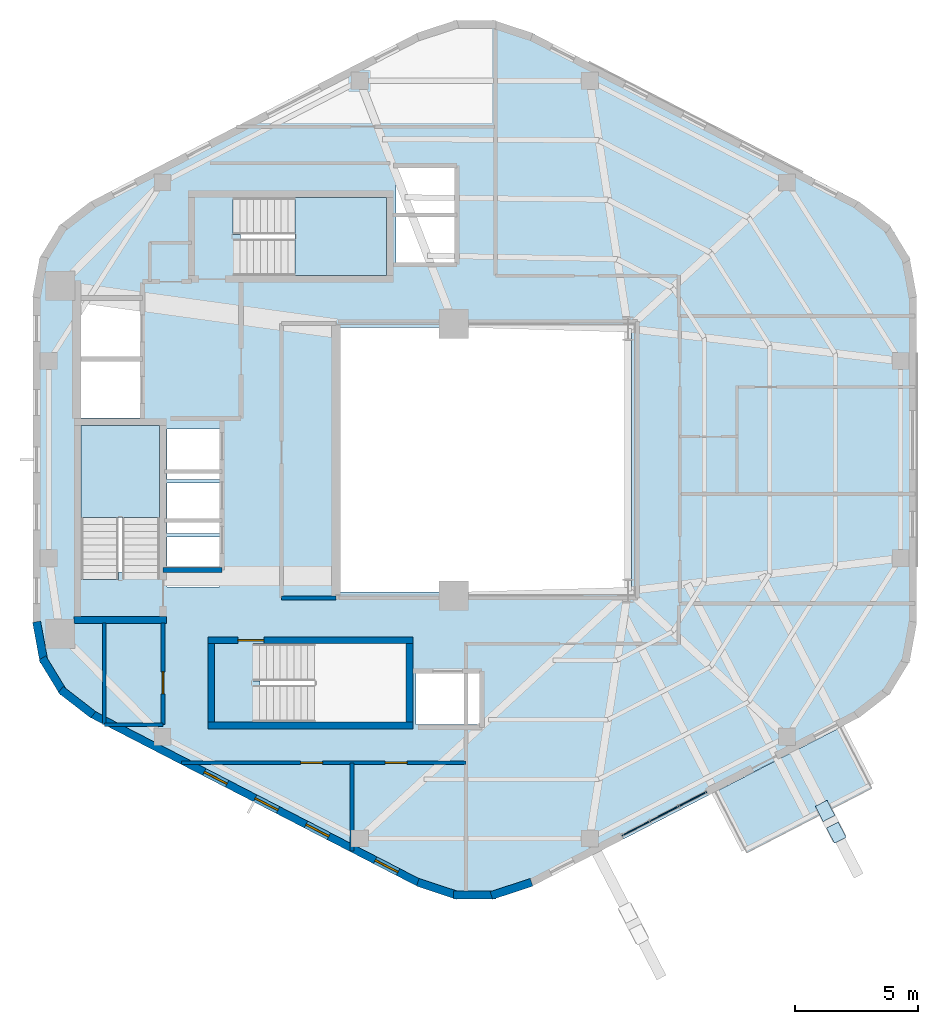
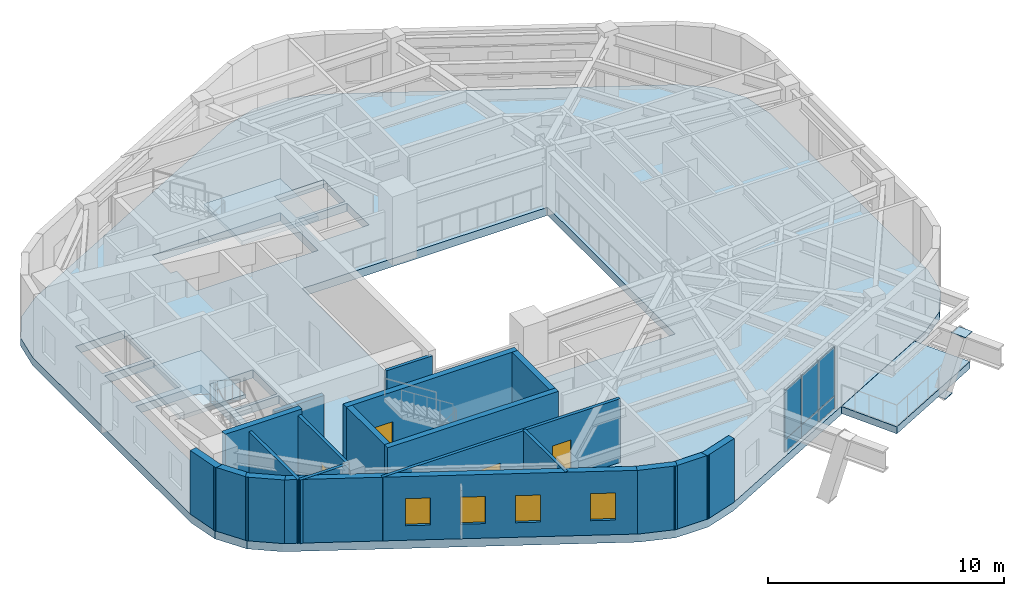
# One storey, part 4 of 9: 19 walls, 8 plates, 4 doors, 4 slabs, 4 windows, 8 openings, 3 elements without a shape of their own.
"""IFC4 building model written with IfcOpenShell, lengths in metres."""

from ifc_helpers import new_model, si_unit, direction, frame, frame_2d, origin, origin_2d, place, context, subcontext, project, spatial, polyline, rectangle, outline, extrude, material, layer, layer_set, type_object, element, fill, aggregate, save


model = new_model("IFC4")

# Units and contexts
model_context = context("Model", 3, precision=1e-05, world=origin(), true_north=direction((0.0, 1.0)))
body_context = subcontext(model_context, "Body", "Model", "MODEL_VIEW")
ifc_project = project(units=[si_unit("LENGTHUNIT", "METRE"), si_unit("AREAUNIT", "SQUARE_METRE"), si_unit("VOLUMEUNIT", "CUBIC_METRE"), si_unit("PLANEANGLEUNIT", "RADIAN"), si_unit("MASSUNIT", "GRAM", prefix="KILO"), si_unit("THERMODYNAMICTEMPERATUREUNIT", "KELVIN"), si_unit("POWERUNIT", "WATT")], contexts=[model_context])

# Site, building, storey
site_placement = place(None, origin())
site = spatial("IfcSite", under=ifc_project, at=site_placement, CompositionType="ELEMENT")
building_placement = place(site_placement, origin())
building = spatial("IfcBuilding", under=site, at=building_placement, Name="Skarre Station Tower", CompositionType="ELEMENT")
storey_placement = place(building_placement, frame((0.0, 0.0, 220.60009765625)))
storey = spatial("IfcBuildingStorey", under=building, at=storey_placement, Name="L60", CompositionType="ELEMENT", Elevation=220.60009765625)

# Curtain wall, plates
ifc_material_1 = material(Name="Thermally Broken Bronze-Anodized Aluminium & Triple Low-E Glass", Category="aluminium")
ifc_layer_1 = layer(ifc_material_1, 0.18994140625, Name="Thermally Broken Bronze-Anodized Aluminium & Triple Low-E Glass")
ifc_layer_set_1 = layer_set([ifc_layer_1], Name="Thermally Broken Bronze-Anodized Aluminium & Triple Low-E Glass")
curtain_wall_type = type_object("IfcCurtainWallType", Name="Sky-Garden Setback Conservatory Curtain Wall", PredefinedType="NOTDEFINED", material=ifc_layer_set_1)
curtain_wall_placement = place(storey_placement, origin())
curtain_wall = element("IfcCurtainWall", 1, at=curtain_wall_placement, inside=storey, type_object=curtain_wall_type, Name="L60 Facet 4 Conservatory Curtain Wall", PredefinedType="NOTDEFINED")
ifc_material_2 = material(Name="Insulated Bronze Anodized Aluminium Spandrel", Category="aluminium")
ifc_layer_2 = layer(ifc_material_2, 0.052001953125, Name="Insulated Bronze Anodized Aluminium Spandrel")
ifc_layer_set_2 = layer_set([ifc_layer_2], Name="Insulated Bronze Anodized Aluminium Spandrel")
plate_type_1 = type_object("IfcPlateType", Name="Bronze Insulated Spandrel Sheet Panel 52", PredefinedType="SHEET", material=ifc_layer_set_2)
plate_1_placement = place(storey_placement, frame((42.090087890625, 10.1650390625, 0.0517578125), z_axis=(0.0, 0.0, 1.0), x_axis=(-0.88848110948, -0.458913192332, 0.0)))
plate_1 = element("IfcPlate", 2, at=plate_1_placement, type_object=plate_type_1, Name="L60 Facet 4 Conservatory Curtain Wall Spandrel Panel 1-1", PredefinedType="SHEET", context=body_context, shape_type="SweptSolid", body=[
    extrude(rectangle(XDim=1.282958984375, YDim=0.052001953125, at=origin_2d()), origin(), (0.0, 0.0, 1.0), 0.635986328125),
])
plate_2_placement = place(storey_placement, frame((40.929931640625, 9.56591796875, 0.0517578125), z_axis=(0.0, 0.0, 1.0), x_axis=(-0.88848110948, -0.458913192332, 0.0)))
plate_2 = element("IfcPlate", 3, at=plate_2_placement, type_object=plate_type_1, Name="L60 Facet 4 Conservatory Curtain Wall Spandrel Panel 2-1", PredefinedType="SHEET", context=body_context, shape_type="SweptSolid", body=[
    extrude(rectangle(XDim=1.282958984375, YDim=0.052001953125, at=origin_2d()), origin(), (0.0, 0.0, 1.0), 0.635986328125),
])
plate_3_placement = place(storey_placement, frame((39.76904296875, 8.966064453125, 0.0517578125), z_axis=(0.0, 0.0, 1.0), x_axis=(-0.88848110948, -0.458913192332, 0.0)))
plate_3 = element("IfcPlate", 4, at=plate_3_placement, type_object=plate_type_1, Name="L60 Facet 4 Conservatory Curtain Wall Spandrel Panel 3-1", PredefinedType="SHEET", context=body_context, shape_type="SweptSolid", body=[
    extrude(rectangle(XDim=1.282958984375, YDim=0.052001953125, at=origin_2d()), origin(), (0.0, 0.0, 1.0), 0.635986328125),
])

# Plates
ifc_material_3 = material(Name="Steel ASTM A572 Grade 50", Category="steel")
ifc_layer_3 = layer(ifc_material_3, 0.031982421875, Name="Steel ASTM A572 Grade 50")
ifc_layer_set_3 = layer_set([ifc_layer_3], Name="Steel ASTM A572 Grade 50")
plate_type_2 = type_object("IfcPlateType", Name="Exoskeleton Strut Cap Plate 700x540x32", PredefinedType="USERDEFINED", material=ifc_layer_set_3)
for number, where, z_axis, x_axis, name in (
    (5, (47.487060546875, 9.680908203125, -0.4462890625), (0.0, 0.0, 1.0), (0.458711590553, -0.88858521071, 0.0), "L60 SB-5 Exoskeleton Tier-1 Base Gusset S2"),
    (6, (47.945068359375, 8.7919921875, 3.10400390625), (0.0, 0.0, 1.0), (0.458711590553, -0.88858521071, 0.0), "L60 SB-5 Exoskeleton Tier-1 Head Gusset S2"),
):
    element("IfcPlate", number, at=place(storey_placement, frame(where, z_axis=z_axis, x_axis=x_axis)), inside=storey, type_object=plate_type_2, Name=name, ObjectType="STIFFENER_PLATE", PredefinedType="USERDEFINED", context=body_context, shape_type="SweptSolid", body=[
        extrude(rectangle(XDim=0.699951171875, YDim=0.5400390625, at=origin_2d()), origin(), (0.0, 0.0, 1.0), 0.031982421875),
    ])

# Stair, slab
ifc_material_4 = material(Name="Concrete C40/50", Category="concrete")
stair_type_1 = type_object("IfcStairType", Name="Reinforced Concrete Exit Stair ST-1", PredefinedType="HALF_TURN_STAIR", material=ifc_material_4)
stair_1_placement = place(storey_placement, origin())
stair_1 = element("IfcStair", 7, at=stair_1_placement, inside=storey, type_object=stair_type_1, Name="L60 Core Exit Stair ST-1", PredefinedType="HALF_TURN_STAIR")
ifc_layer_4 = layer(ifc_material_4, 0.219970703125, Name="Concrete C40/50")
ifc_layer_set_4 = layer_set([ifc_layer_4], Name="Concrete C40/50")
slab_type_1 = type_object("IfcSlabType", Name="Reinforced Concrete Stair & Ramp Landing 220", PredefinedType="LANDING", material=ifc_layer_set_4)
slab_1_placement = place(storey_placement, frame((0.0, 0.0, 1.574951171875)))
slab_1 = element("IfcSlab", 8, at=slab_1_placement, type_object=slab_type_1, Name="ST-1 landing 1", PredefinedType="LANDING", context=body_context, shape_type="SweptSolid", body=[
    extrude(outline(polyline([(20.35009765625, 21.639892578125), (20.35009765625, 25.39990234375), (17.14990234375, 25.39990234375), (17.14990234375, 21.639892578125), (20.35009765625, 21.639892578125)])), origin(), (0.0, 0.0, 1.0), 0.199951171875),
])
aggregate(stair_1, [slab_1])

stair_type_2 = type_object("IfcStairType", Name="Reinforced Concrete Exit Stair ST-3", PredefinedType="HALF_TURN_STAIR", material=ifc_material_4)
stair_2_placement = place(storey_placement, origin())
stair_2 = element("IfcStair", 9, at=stair_2_placement, inside=storey, type_object=stair_type_2, Name="L60 Core Exit Stair ST-3", PredefinedType="HALF_TURN_STAIR")
slab_2_placement = place(storey_placement, frame((0.0, 0.0, 1.574951171875)))
slab_2 = element("IfcSlab", 10, at=slab_2_placement, type_object=slab_type_1, Name="ST-3 landing 1", PredefinedType="LANDING", context=body_context, shape_type="SweptSolid", body=[
    extrude(outline(polyline([(25.8701171875, 31.5), (29.60009765625, 31.5), (29.60009765625, 34.699951171875), (25.8701171875, 34.699951171875), (25.8701171875, 31.5)])), origin(), (0.0, 0.0, 1.0), 0.199951171875),
])
aggregate(stair_2, [slab_2])

# Slabs
ifc_material_5 = material(Name="Concrete C50/60", Category="concrete")
ifc_layer_5 = layer(ifc_material_5, 0.419921875, Name="Concrete C50/60")
ifc_layer_set_5 = layer_set([ifc_layer_5], Name="Concrete C50/60")
slab_type_2 = type_object("IfcSlabType", Name="Sky-Garden & Lookout Terrace Slab 360", PredefinedType="FLOOR", material=ifc_layer_set_5)
slab_3_placement = place(storey_placement, frame((0.0, 0.0, -0.360107421875)))
element("IfcSlab", 11, at=slab_3_placement, inside=storey, type_object=slab_type_2, Name="L60 SG-3 Planted Sky-Garden Terrace Slab", PredefinedType="FLOOR", context=body_context, shape_type="SweptSolid", body=[
    extrude(outline(polyline([(48.10595703125, 13.083984375), (43.014892578125, 10.4560546875), (44.294921875, 7.97705078125), (49.385986328125, 10.60498046875), (48.10595703125, 13.083984375)])), origin(), (0.0, 0.0, 1.0), 0.360107421875),
])
ifc_layer_6 = layer(ifc_material_5, 0.419921875, Name="Concrete C50/60")
ifc_layer_set_6 = layer_set([ifc_layer_6], Name="Concrete C50/60")
slab_type_3 = type_object("IfcSlabType", Name="Transfer & Concourse Floor Slab 360", PredefinedType="FLOOR", material=ifc_layer_set_6)
slab_4_placement = place(storey_placement, frame((0.0, 0.0, -0.420166015625)))
element("IfcSlab", 12, at=slab_4_placement, inside=storey, type_object=slab_type_3, Name="L60 Zone 4 Structural Floor Slab", PredefinedType="FLOOR", context=body_context, shape_type="SweptSolid", body=[
    extrude(outline(polyline([(51.212890625, 30.701904296875), (50.93310546875, 32.222900390625), (50.1279296875, 33.544921875), (48.905029296875, 34.491943359375), (35.508056640625, 41.407958984375), (33.99609375, 41.906005859375), (32.404052734375, 41.906005859375), (30.89208984375, 41.407958984375), (17.4951171875, 34.491943359375), (16.27197265625, 33.544921875), (15.467041015625, 32.222900390625), (15.18701171875, 30.701904296875), (15.18701171875, 17.298095703125), (15.467041015625, 15.777099609375), (16.27197265625, 14.455078125), (17.4951171875, 13.508056640625), (30.89208984375, 6.592041015625), (32.404052734375, 6.093994140625), (33.99609375, 6.093994140625), (35.508056640625, 6.592041015625), (48.905029296875, 13.508056640625), (50.1279296875, 14.455078125), (50.93310546875, 15.777099609375), (51.212890625, 17.298095703125), (51.212890625, 30.701904296875)]), holes=[polyline([(18.669921875, 19.419921875), (18.669921875, 19.123046875), (17.14990234375, 19.123046875), (17.14990234375, 25.39990234375), (20.35009765625, 25.39990234375), (20.35009765625, 19.419921875), (18.669921875, 19.419921875)]), polyline([(24.449951171875, 14.97998046875), (24.153076171875, 14.97998046875), (24.153076171875, 16.5), (30.39990234375, 16.5), (30.39990234375, 13.300048828125), (24.449951171875, 13.300048828125), (24.449951171875, 14.97998046875)]), polyline([(23.64990234375, 33.179931640625), (23.35302734375, 33.179931640625), (23.35302734375, 34.699951171875), (29.60009765625, 34.699951171875), (29.60009765625, 31.5), (23.64990234375, 31.5), (23.64990234375, 33.179931640625)]), polyline([(17.14990234375, 28.0), (19.550048828125, 28.0), (19.550048828125, 25.699951171875), (17.14990234375, 25.699951171875), (17.14990234375, 28.0)]), polyline([(17.14990234375, 30.5), (19.550048828125, 30.5), (19.550048828125, 28.199951171875), (17.14990234375, 28.199951171875), (17.14990234375, 30.5)]), polyline([(30.800048828125, 15.300048828125), (33.39990234375, 15.300048828125), (33.39990234375, 13.199951171875), (30.800048828125, 13.199951171875), (30.800048828125, 15.300048828125)]), polyline([(20.64990234375, 20.85009765625), (22.800048828125, 20.85009765625), (22.800048828125, 18.800048828125), (20.64990234375, 18.800048828125), (20.64990234375, 20.85009765625)]), polyline([(20.64990234375, 23.050048828125), (22.800048828125, 23.050048828125), (22.800048828125, 21.0), (20.64990234375, 21.0), (20.64990234375, 23.050048828125)]), polyline([(20.64990234375, 25.25), (22.800048828125, 25.25), (22.800048828125, 23.199951171875), (20.64990234375, 23.199951171875), (20.64990234375, 25.25)]), polyline([(30.0, 33.89990234375), (32.39990234375, 33.89990234375), (32.39990234375, 32.050048828125), (30.0, 32.050048828125), (30.0, 33.89990234375)]), polyline([(30.0, 35.89990234375), (32.39990234375, 35.89990234375), (32.39990234375, 34.050048828125), (30.0, 34.050048828125), (30.0, 35.89990234375)]), polyline([(27.60009765625, 29.39990234375), (39.60009765625, 29.39990234375), (39.60009765625, 18.60009765625), (27.60009765625, 18.60009765625), (27.60009765625, 29.39990234375)])]), origin(), (0.0, 0.0, 1.0), 0.420166015625),
])

# Plate
ifc_material_6 = material(Name="Low-Iron Triple Insulating Glass Unit", Category="glass")
ifc_layer_7 = layer(ifc_material_6, 0.0439453125, Name="Low-Iron Triple Insulating Glass Unit")
ifc_layer_set_7 = layer_set([ifc_layer_7], Name="Low-Iron Triple Insulating Glass Unit")
plate_type_3 = type_object("IfcPlateType", Name="Triple-Glazed Vision Curtain Panel 44", PredefinedType="CURTAIN_PANEL", material=ifc_layer_set_7)
plate_4_placement = place(storey_placement, frame((42.090087890625, 10.1650390625, 0.7119140625), z_axis=(0.0, 0.0, 1.0), x_axis=(-0.88848110948, -0.458913192332, 0.0)))
plate_4 = element("IfcPlate", 13, at=plate_4_placement, type_object=plate_type_3, Name="L60 Facet 4 Conservatory Curtain Wall Vision Panel 1-2", PredefinedType="CURTAIN_PANEL", context=body_context, shape_type="SweptSolid", body=[
    extrude(rectangle(XDim=1.282958984375, YDim=0.0439453125, at=origin_2d()), origin(), (0.0, 0.0, 1.0), 2.52587890625),
])

plate_5_placement = place(storey_placement, frame((40.929931640625, 9.56591796875, 0.7119140625), z_axis=(0.0, 0.0, 1.0), x_axis=(-0.88848110948, -0.458913192332, 0.0)))
plate_5 = element("IfcPlate", 14, at=plate_5_placement, type_object=plate_type_3, Name="L60 Facet 4 Conservatory Curtain Wall Vision Panel 2-2", PredefinedType="CURTAIN_PANEL", context=body_context, shape_type="SweptSolid", body=[
    extrude(rectangle(XDim=1.282958984375, YDim=0.0439453125, at=origin_2d()), origin(), (0.0, 0.0, 1.0), 2.52587890625),
])

plate_6_placement = place(storey_placement, frame((39.76904296875, 8.966064453125, 0.7119140625), z_axis=(0.0, 0.0, 1.0), x_axis=(-0.88848110948, -0.458913192332, 0.0)))
plate_6 = element("IfcPlate", 15, at=plate_6_placement, type_object=plate_type_3, Name="L60 Facet 4 Conservatory Curtain Wall Vision Panel 3-2", PredefinedType="CURTAIN_PANEL", context=body_context, shape_type="SweptSolid", body=[
    extrude(rectangle(XDim=1.282958984375, YDim=0.0439453125, at=origin_2d()), origin(), (0.0, 0.0, 1.0), 2.52587890625),
])

aggregate(curtain_wall, [plate_1, plate_4, plate_2, plate_5, plate_3, plate_6])

# Walls
ifc_material_7 = material(Name="Acoustic Steel-Stud Gypsum Partition", Category="steel")
ifc_layer_8 = layer(ifc_material_7, 0.14990234375, Name="Acoustic Steel-Stud Gypsum Partition")
ifc_layer_set_8 = layer_set([ifc_layer_8], Name="Acoustic Steel-Stud Gypsum Partition")
wall_type_1 = type_object("IfcWallType", Name="Fire-Rated Corridor Acoustic Partition 150", PredefinedType="PARTITIONING", material=ifc_layer_set_8)
wall_1_placement = place(storey_placement, frame((25.320068359375, 18.360107421875, 0.0), z_axis=(0.0, 0.0, 1.0), x_axis=(1.0, 0.0, 0.0)))
element("IfcWall", 16, at=wall_1_placement, inside=storey, type_object=wall_type_1, Name="L60 Interior Partition WL-PT-L60-RC2-S", PredefinedType="PARTITIONING", context=body_context, shape_type="SweptSolid", body=[
    extrude(rectangle(XDim=2.22998046875, YDim=0.14990234375, at=frame_2d((1.114990234375, 0.0))), origin(), (0.0, 0.0, 1.0), 3.289794921875),
])
wall_2_placement = place(storey_placement, frame((18.10009765625, 17.340087890625, 0.0), z_axis=(0.0, 0.0, 1.0), x_axis=(0.0, -1.0, 0.0)))
element("IfcWall", 17, at=wall_2_placement, inside=storey, type_object=wall_type_1, Name="L60 Interior Partition WL-PT-L60-CSVC-W", PredefinedType="PARTITIONING", context=body_context, shape_type="SweptSolid", body=[
    extrude(rectangle(XDim=4.133056640625, YDim=0.14990234375, at=frame_2d((2.06640625, 0.0))), origin(), (0.0, 0.0, 1.0), 3.289794921875),
])
wall_3_placement = place(storey_placement, frame((18.113037109375, 13.199951171875, 0.0), z_axis=(0.0, 0.0, 1.0), x_axis=(1.0, 0.0, 0.0)))
element("IfcWall", 18, at=wall_3_placement, inside=storey, type_object=wall_type_1, Name="L60 Interior Partition WL-PT-L60-CSVC-S", PredefinedType="PARTITIONING", context=body_context, shape_type="SweptSolid", body=[
    extrude(rectangle(XDim=2.376953125, YDim=0.14990234375, at=frame_2d((1.1884765625, 0.0))), origin(), (0.0, 0.0, 1.0), 3.289794921875),
])

# Wall, opening, door
wall_4_placement = place(storey_placement, frame((20.489990234375, 13.199951171875, 0.0), z_axis=(0.0, 0.0, 1.0), x_axis=(0.0, 1.0, 0.0)))
wall_4 = element("IfcWall", 19, at=wall_4_placement, inside=storey, type_object=wall_type_1, Name="L60 Interior Partition WL-PT-L60-CSVC-E", PredefinedType="PARTITIONING", context=body_context, shape_type="SweptSolid", body=[
    extrude(rectangle(XDim=4.14013671875, YDim=0.14990234375, at=frame_2d((2.070068359375, 0.0))), origin(), (0.0, 0.0, 1.0), 3.289794921875),
])
opening_1_placement = place(wall_4_placement, frame((1.25, 0.0, 0.0)))
opening_1 = element("IfcOpeningElement", 20, at=opening_1_placement, cuts=wall_4, Name="Opening DR-SVC90", PredefinedType="OPENING", context=body_context, shape_type="SweptSolid", body=[
    extrude(rectangle(XDim=0.89990234375, YDim=2.0, at=frame_2d((0.449951171875, 1.0))), frame((0.0, 0.0849609375, 0.0), z_axis=(0.0, -1.0, 0.0), x_axis=(1.0, 0.0, 0.0)), (0.0, 0.0, 1.0), 0.169921875),
])
ifc_material_8 = material(Name="Powder-Coated Hollow-Metal Acoustic Fire Leaf", Category="steel")
door_type_1 = type_object("IfcDoorType", Name="Service & Riser Fire Door FD60 900x2100", OperationType="SINGLE_SWING_LEFT", PredefinedType="DOOR", material=ifc_material_8)
door_1_placement = place(opening_1_placement, origin())
door_1 = element("IfcDoor", 21, at=door_1_placement, inside=storey, type_object=door_type_1, Name="L60 Core Pantry Door", OperationType="SINGLE_SWING_LEFT", OverallHeight=2.0, OverallWidth=0.89990234375, PredefinedType="DOOR", context=body_context, shape_type="SweptSolid", body=[
    extrude(rectangle(XDim=0.89990234375, YDim=2.0, at=frame_2d((0.449951171875, 1.0))), frame((0.0, 0.02490234375, 0.0), z_axis=(0.0, -1.0, 0.0), x_axis=(1.0, 0.0, 0.0)), (0.0, 0.0, 1.0), 0.050048828125),
])
fill(opening_1, door_1)

# Wall
wall_5_placement = place(storey_placement, frame((28.199951171875, 8.049072265625, 0.0), z_axis=(0.0, 0.0, 1.0), x_axis=(0.0, 1.0, 0.0)))
element("IfcWall", 22, at=wall_5_placement, inside=storey, type_object=wall_type_1, Name="L60 Interior Partition WL-PT-L60-SWP-M", PredefinedType="PARTITIONING", context=body_context, shape_type="SweptSolid", body=[
    extrude(rectangle(XDim=3.5908203125, YDim=0.14990234375, at=frame_2d((1.79541015625, 0.0))), origin(), (0.0, 0.0, 1.0), 3.289794921875),
])

# Wall, openings, doors
wall_6_placement = place(storey_placement, frame((21.243896484375, 11.639892578125, 0.0), z_axis=(0.0, 0.0, 1.0), x_axis=(1.0, 0.0, 0.0)))
wall_6 = element("IfcWall", 23, at=wall_6_placement, inside=storey, type_object=wall_type_1, Name="L60 Interior Partition WL-PT-L60-SWP-N", PredefinedType="PARTITIONING", context=body_context, shape_type="SweptSolid", body=[
    extrude(rectangle(XDim=11.606201171875, YDim=0.14990234375, at=frame_2d((5.80322265625, 0.0))), origin(), (0.0, 0.0, 1.0), 3.289794921875),
])
opening_2_placement = place(wall_6_placement, frame((4.85595703125, 0.0, 0.0)))
opening_2 = element("IfcOpeningElement", 24, at=opening_2_placement, cuts=wall_6, Name="Opening DR-SVC90", PredefinedType="OPENING", context=body_context, shape_type="SweptSolid", body=[
    extrude(rectangle(XDim=0.89990234375, YDim=2.0, at=frame_2d((0.449951171875, 1.0))), frame((0.0, 0.0849609375, 0.0), z_axis=(0.0, -1.0, 0.0), x_axis=(1.0, 0.0, 0.0)), (0.0, 0.0, 1.0), 0.169921875),
])
opening_3_placement = place(wall_6_placement, frame((8.305908203125, 0.0, 0.0)))
opening_3 = element("IfcOpeningElement", 25, at=opening_3_placement, cuts=wall_6, Name="Opening DR-SVC90", PredefinedType="OPENING", context=body_context, shape_type="SweptSolid", body=[
    extrude(rectangle(XDim=0.89990234375, YDim=2.0, at=frame_2d((0.449951171875, 1.0))), frame((0.0, 0.0849609375, 0.0), z_axis=(0.0, -1.0, 0.0), x_axis=(1.0, 0.0, 0.0)), (0.0, 0.0, 1.0), 0.169921875),
])
door_2_placement = place(opening_2_placement, origin())
door_2 = element("IfcDoor", 26, at=door_2_placement, inside=storey, type_object=door_type_1, Name="L60 Floor Public Toilets Door", OperationType="SINGLE_SWING_LEFT", OverallHeight=2.0, OverallWidth=0.89990234375, PredefinedType="DOOR", context=body_context, shape_type="SweptSolid", body=[
    extrude(rectangle(XDim=0.89990234375, YDim=2.0, at=frame_2d((0.449951171875, 1.0))), frame((0.0, 0.02490234375, 0.0), z_axis=(0.0, -1.0, 0.0), x_axis=(1.0, 0.0, 0.0)), (0.0, 0.0, 1.0), 0.050048828125),
])
fill(opening_2, door_2)
door_3_placement = place(opening_3_placement, origin())
door_3 = element("IfcDoor", 27, at=door_3_placement, inside=storey, type_object=door_type_1, Name="L60 South-West Study Door", OperationType="SINGLE_SWING_LEFT", OverallHeight=2.0, OverallWidth=0.89990234375, PredefinedType="DOOR", context=body_context, shape_type="SweptSolid", body=[
    extrude(rectangle(XDim=0.89990234375, YDim=2.0, at=frame_2d((0.449951171875, 1.0))), frame((0.0, 0.02490234375, 0.0), z_axis=(0.0, -1.0, 0.0), x_axis=(1.0, 0.0, 0.0)), (0.0, 0.0, 1.0), 0.050048828125),
])
fill(opening_3, door_3)

# Walls
ifc_material_9 = material(Name="Precast concrete C45/55", Category="concrete")
ifc_layer_9 = layer(ifc_material_9, 0.330078125, Name="Precast concrete C45/55")
ifc_layer_set_9 = layer_set([ifc_layer_9], Name="Precast concrete C45/55")
wall_type_2 = type_object("IfcWallType", Name="Nordic Rounded Corner Precast Wall 330", PredefinedType="STANDARD", material=ifc_layer_set_9)
wall_7_placement = place(storey_placement, frame((17.64697265625, 13.59912109375, 0.0), z_axis=(0.0, 0.0, 1.0), x_axis=(-0.790691856293, 0.61221433207, 0.0)))
element("IfcWall", 28, at=wall_7_placement, inside=storey, type_object=wall_type_2, Name="L60 Rounded Corner Precast Wall F3-1", PredefinedType="STANDARD", context=body_context, shape_type="SweptSolid", body=[
    extrude(rectangle(XDim=1.67578125, YDim=0.330078125, at=frame_2d((0.837890625, 0.0))), origin(), (0.0, 0.0, 1.0), 3.289794921875),
])
wall_8_placement = place(storey_placement, frame((16.447021484375, 14.485107421875, 0.0), z_axis=(0.0, 0.0, 1.0), x_axis=(-0.520325409202, 0.853968072318, 0.0)))
element("IfcWall", 29, at=wall_8_placement, inside=storey, type_object=wall_type_2, Name="L60 Rounded Corner Precast Wall F3-2", PredefinedType="STANDARD", context=body_context, shape_type="SweptSolid", body=[
    extrude(rectangle(XDim=1.677978515625, YDim=0.330078125, at=frame_2d((0.8388671875, 0.0))), origin(), (0.0, 0.0, 1.0), 3.289794921875),
])
wall_9_placement = place(storey_placement, frame((15.64111328125, 15.742919921875, 0.0), z_axis=(0.0, 0.0, 1.0), x_axis=(-0.180832605401, 0.983513888475, 0.0)))
element("IfcWall", 30, at=wall_9_placement, inside=storey, type_object=wall_type_2, Name="L60 Rounded Corner Precast Wall F3-3", PredefinedType="STANDARD", context=body_context, shape_type="SweptSolid", body=[
    extrude(rectangle(XDim=1.6767578125, YDim=0.330078125, at=frame_2d((0.83837890625, 0.0))), origin(), (0.0, 0.0, 1.0), 3.289794921875),
])
wall_10_placement = place(storey_placement, frame((35.51806640625, 6.76904296875, 0.0), z_axis=(0.0, 0.0, 1.0), x_axis=(-0.949713440491, -0.313120393699, 0.0)))
element("IfcWall", 31, at=wall_10_placement, inside=storey, type_object=wall_type_2, Name="L60 Rounded Corner Precast Wall F4-1", PredefinedType="STANDARD", context=body_context, shape_type="SweptSolid", body=[
    extrude(rectangle(XDim=1.7216796875, YDim=0.330078125, at=frame_2d((0.86083984375, 0.0))), origin(), (0.0, 0.0, 1.0), 3.289794921875),
])
wall_11_placement = place(storey_placement, frame((34.06103515625, 6.259033203125, 0.0), z_axis=(0.0, 0.0, 1.0), x_axis=(-1.0, 0.0, 0.0)))
element("IfcWall", 32, at=wall_11_placement, inside=storey, type_object=wall_type_2, Name="L60 Rounded Corner Precast Wall F4-2", PredefinedType="STANDARD", context=body_context, shape_type="SweptSolid", body=[
    extrude(rectangle(XDim=1.721923828125, YDim=0.330078125, at=frame_2d((0.86083984375, 0.0))), origin(), (0.0, 0.0, 1.0), 3.289794921875),
])
wall_12_placement = place(storey_placement, frame((32.51708984375, 6.22998046875, 0.0), z_axis=(0.0, 0.0, 1.0), x_axis=(-0.949713440491, 0.313120393699, 0.0)))
element("IfcWall", 33, at=wall_12_placement, inside=storey, type_object=wall_type_2, Name="L60 Rounded Corner Precast Wall F4-3", PredefinedType="STANDARD", context=body_context, shape_type="SweptSolid", body=[
    extrude(rectangle(XDim=1.7216796875, YDim=0.330078125, at=frame_2d((0.86083984375, 0.0))), origin(), (0.0, 0.0, 1.0), 3.289794921875),
])

# Wall, openings, windows
ifc_layer_10 = layer(ifc_material_9, 0.31005859375, Name="Precast concrete C45/55")
ifc_layer_set_10 = layer_set([ifc_layer_10], Name="Precast concrete C45/55")
wall_type_3 = type_object("IfcWallType", Name="Nordic Upper-Zone Precast Facet Wall 310", PredefinedType="STANDARD", material=ifc_layer_set_10)
wall_13_placement = place(storey_placement, frame((30.962890625, 6.72998046875, 0.0), z_axis=(0.0, 0.0, 1.0), x_axis=(-0.888581481622, 0.458718814218, 0.0)))
wall_13 = element("IfcWall", 34, at=wall_13_placement, inside=storey, type_object=wall_type_3, Name="L60 Facet 3 Nordic Precast Masonry Wall", PredefinedType="STANDARD", context=body_context, shape_type="SweptSolid", body=[
    extrude(rectangle(XDim=15.076904296875, YDim=0.31005859375, at=frame_2d((7.53857421875, 0.0))), origin(), (0.0, 0.0, 1.0), 3.289794921875),
])
opening_4_placement = place(wall_13_placement, frame((0.998046875, 0.0, 0.75)))
opening_4 = element("IfcOpeningElement", 35, at=opening_4_placement, cuts=wall_13, Name="Opening WN-SLT", PredefinedType="OPENING", context=body_context, shape_type="SweptSolid", body=[
    extrude(rectangle(XDim=1.050048828125, YDim=1.39990234375, at=frame_2d((0.52490234375, 0.699951171875))), frame((0.0, 0.1650390625, 0.0), z_axis=(0.0, -1.0, 0.0), x_axis=(1.0, 0.0, 0.0)), (0.0, 0.0, 1.0), 0.330078125),
])
opening_5_placement = place(wall_13_placement, frame((4.176025390625, 0.0, 0.75)))
opening_5 = element("IfcOpeningElement", 36, at=opening_5_placement, cuts=wall_13, Name="Opening WN-SLT", PredefinedType="OPENING", context=body_context, shape_type="SweptSolid", body=[
    extrude(rectangle(XDim=1.050048828125, YDim=1.39990234375, at=frame_2d((0.52490234375, 0.699951171875))), frame((0.0, 0.1650390625, 0.0), z_axis=(0.0, -1.0, 0.0), x_axis=(1.0, 0.0, 0.0)), (0.0, 0.0, 1.0), 0.330078125),
])
opening_6_placement = place(wall_13_placement, frame((6.509033203125, 0.0, 0.75)))
opening_6 = element("IfcOpeningElement", 37, at=opening_6_placement, cuts=wall_13, Name="Opening WN-SLT", PredefinedType="OPENING", context=body_context, shape_type="SweptSolid", body=[
    extrude(rectangle(XDim=1.050048828125, YDim=1.39990234375, at=frame_2d((0.52490234375, 0.699951171875))), frame((0.0, 0.1650390625, 0.0), z_axis=(0.0, -1.0, 0.0), x_axis=(1.0, 0.0, 0.0)), (0.0, 0.0, 1.0), 0.330078125),
])
opening_7_placement = place(wall_13_placement, frame((8.842041015625, 0.0, 0.75)))
opening_7 = element("IfcOpeningElement", 38, at=opening_7_placement, cuts=wall_13, Name="Opening WN-SLT", PredefinedType="OPENING", context=body_context, shape_type="SweptSolid", body=[
    extrude(rectangle(XDim=1.050048828125, YDim=1.39990234375, at=frame_2d((0.52490234375, 0.699951171875))), frame((0.0, 0.1650390625, 0.0), z_axis=(0.0, -1.0, 0.0), x_axis=(1.0, 0.0, 0.0)), (0.0, 0.0, 1.0), 0.330078125),
])
ifc_material_10 = material(Name="Low-Iron Triple Glazing with Bronze Anodized Frame", Category="glass")
window_type = type_object("IfcWindowType", Name="Nordic Corner Slot Window 1050x1400", PartitioningType="SINGLE_PANEL", PredefinedType="WINDOW", material=ifc_material_10)
window_1_placement = place(opening_4_placement, origin())
window_1 = element("IfcWindow", 39, at=window_1_placement, inside=storey, type_object=window_type, Name="L60 Facade Window WL-FAC-L60-F3-1", OverallHeight=1.39990234375, OverallWidth=1.050048828125, PartitioningType="SINGLE_PANEL", PredefinedType="WINDOW", context=body_context, shape_type="SweptSolid", body=[
    extrude(rectangle(XDim=1.050048828125, YDim=1.39990234375, at=frame_2d((0.52490234375, 0.699951171875))), frame((0.0, 0.030029296875, 0.0), z_axis=(0.0, -1.0, 0.0), x_axis=(1.0, 0.0, 0.0)), (0.0, 0.0, 1.0), 0.06005859375),
])
fill(opening_4, window_1)
window_2_placement = place(opening_5_placement, origin())
window_2 = element("IfcWindow", 40, at=window_2_placement, inside=storey, type_object=window_type, Name="L60 Facade Window WL-FAC-L60-F3-2", OverallHeight=1.39990234375, OverallWidth=1.050048828125, PartitioningType="SINGLE_PANEL", PredefinedType="WINDOW", context=body_context, shape_type="SweptSolid", body=[
    extrude(rectangle(XDim=1.050048828125, YDim=1.39990234375, at=frame_2d((0.52490234375, 0.699951171875))), frame((0.0, 0.030029296875, 0.0), z_axis=(0.0, -1.0, 0.0), x_axis=(1.0, 0.0, 0.0)), (0.0, 0.0, 1.0), 0.06005859375),
])
fill(opening_5, window_2)
window_3_placement = place(opening_6_placement, origin())
window_3 = element("IfcWindow", 41, at=window_3_placement, inside=storey, type_object=window_type, Name="L60 Facade Window WL-FAC-L60-F3-3", OverallHeight=1.39990234375, OverallWidth=1.050048828125, PartitioningType="SINGLE_PANEL", PredefinedType="WINDOW", context=body_context, shape_type="SweptSolid", body=[
    extrude(rectangle(XDim=1.050048828125, YDim=1.39990234375, at=frame_2d((0.52490234375, 0.699951171875))), frame((0.0, 0.030029296875, 0.0), z_axis=(0.0, -1.0, 0.0), x_axis=(1.0, 0.0, 0.0)), (0.0, 0.0, 1.0), 0.06005859375),
])
fill(opening_6, window_3)
window_4_placement = place(opening_7_placement, origin())
window_4 = element("IfcWindow", 42, at=window_4_placement, inside=storey, type_object=window_type, Name="L60 Facade Window WL-FAC-L60-F3-4", OverallHeight=1.39990234375, OverallWidth=1.050048828125, PartitioningType="SINGLE_PANEL", PredefinedType="WINDOW", context=body_context, shape_type="SweptSolid", body=[
    extrude(rectangle(XDim=1.050048828125, YDim=1.39990234375, at=frame_2d((0.52490234375, 0.699951171875))), frame((0.0, 0.030029296875, 0.0), z_axis=(0.0, -1.0, 0.0), x_axis=(1.0, 0.0, 0.0)), (0.0, 0.0, 1.0), 0.06005859375),
])
fill(opening_7, window_4)

# Walls
ifc_layer_11 = layer(ifc_material_5, 0.280029296875, Name="Concrete C50/60")
ifc_layer_set_11 = layer_set([ifc_layer_11], Name="Concrete C50/60")
wall_type_4 = type_object("IfcWallType", Name="RC Core Shear Wall 280", PredefinedType="SHEAR", material=ifc_layer_set_11)
wall_14_placement = place(storey_placement, frame((16.8701171875, 17.4599609375, 0.0), z_axis=(0.0, 0.0, 1.0), x_axis=(1.0, 0.0, 0.0)))
element("IfcWall", 43, at=wall_14_placement, inside=storey, type_object=wall_type_4, Name="L60 Stair ST-1 South Shear Wall", PredefinedType="SHEAR", context=body_context, shape_type="SweptSolid", body=[
    extrude(rectangle(XDim=3.759765625, YDim=0.280029296875, at=frame_2d((1.8798828125, 0.0))), origin(), (0.0, 0.0, 1.0), 3.5498046875),
])
wall_15_placement = place(storey_placement, frame((22.320068359375, 13.159912109375, 0.0), z_axis=(0.0, 0.0, 1.0), x_axis=(1.0, 0.0, 0.0)))
element("IfcWall", 44, at=wall_15_placement, inside=storey, type_object=wall_type_4, Name="L60 Stair ST-2 South Shear Wall", PredefinedType="SHEAR", context=body_context, shape_type="SweptSolid", body=[
    extrude(rectangle(XDim=8.35986328125, YDim=0.280029296875, at=frame_2d((4.179931640625, 0.0))), origin(), (0.0, 0.0, 1.0), 3.5498046875),
])

# Wall, opening, door
wall_16_placement = place(storey_placement, frame((30.679931640625, 16.639892578125, 0.0), z_axis=(0.0, 0.0, 1.0), x_axis=(-1.0, 0.0, 0.0)))
wall_16 = element("IfcWall", 45, at=wall_16_placement, inside=storey, type_object=wall_type_4, Name="L60 Stair ST-2 North Shear Wall", PredefinedType="SHEAR", context=body_context, shape_type="SweptSolid", body=[
    extrude(rectangle(XDim=8.35986328125, YDim=0.280029296875, at=frame_2d((4.179931640625, 0.0))), origin(), (0.0, 0.0, 1.0), 3.5498046875),
])
opening_8_placement = place(wall_16_placement, frame((6.080078125, 0.0, 0.0)))
opening_8 = element("IfcOpeningElement", 46, at=opening_8_placement, cuts=wall_16, Name="Opening DR-FD90", PredefinedType="OPENING", context=body_context, shape_type="SweptSolid", body=[
    extrude(rectangle(XDim=1.050048828125, YDim=2.0, at=frame_2d((0.52490234375, 1.0))), frame((0.0, 0.14990234375, 0.0), z_axis=(0.0, -1.0, 0.0), x_axis=(1.0, 0.0, 0.0)), (0.0, 0.0, 1.0), 0.300048828125),
])
ifc_material_11 = material(Name="Fire-Rated Insulated Steel Frame & Timber Core Leaf", Category="steel")
door_type_2 = type_object("IfcDoorType", Name="Stair & FSAE Lobby Fire Door FD90 1050x2150", OperationType="SINGLE_SWING_RIGHT", PredefinedType="DOOR", material=ifc_material_11)
door_4_placement = place(opening_8_placement, origin())
door_4 = element("IfcDoor", 47, at=door_4_placement, inside=storey, type_object=door_type_2, Name="L60 Stair ST-2 Exit Door", OperationType="SINGLE_SWING_RIGHT", OverallHeight=2.0, OverallWidth=1.050048828125, PredefinedType="DOOR", context=body_context, shape_type="SweptSolid", body=[
    extrude(rectangle(XDim=1.050048828125, YDim=2.0, at=frame_2d((0.52490234375, 1.0))), frame((0.0, 0.02490234375, 0.0), z_axis=(0.0, -1.0, 0.0), x_axis=(1.0, 0.0, 0.0)), (0.0, 0.0, 1.0), 0.050048828125),
])
fill(opening_8, door_4)

# Walls
for number, where, z_axis, x_axis, name in (
    (48, (22.4599609375, 16.5, 0.0), (0.0, 0.0, 1.0), (0.0, -1.0, 0.0), "L60 Stair ST-2 West Shear Wall"),
    (49, (30.5400390625, 13.300048828125, 0.0), (0.0, 0.0, 1.0), (0.0, 1.0, 0.0), "L60 Stair ST-2 East Shear Wall"),
):
    element("IfcWall", number, at=place(storey_placement, frame(where, z_axis=z_axis, x_axis=x_axis)), inside=storey, type_object=wall_type_4, Name=name, PredefinedType="SHEAR", context=body_context, shape_type="SweptSolid", body=[
        extrude(rectangle(XDim=3.199951171875, YDim=0.280029296875, at=frame_2d((1.60009765625, 0.0))), origin(), (0.0, 0.0, 1.0), 3.5498046875),
    ])
ifc_material_12 = material(Name="Gypsum Concrete Shaft Assembly C30/37", Category="concrete")
ifc_layer_12 = layer(ifc_material_12, 0.199951171875, Name="Gypsum Concrete Shaft Assembly C30/37")
ifc_layer_set_12 = layer_set([ifc_layer_12], Name="Gypsum Concrete Shaft Assembly C30/37")
wall_type_5 = type_object("IfcWallType", Name="Shaft & Core Fire Partition 200", PredefinedType="PARTITIONING", material=ifc_layer_set_12)
wall_17_placement = place(storey_placement, frame((20.489990234375, 19.5, 0.0), z_axis=(0.0, 0.0, 1.0), x_axis=(1.0, 0.0, 0.0)))
element("IfcWall", 50, at=wall_17_placement, inside=storey, type_object=wall_type_5, Name="L60 Interior Partition WL-PT-L60-B3-S", PredefinedType="PARTITIONING", context=body_context, shape_type="SweptSolid", body=[
    extrude(rectangle(XDim=2.409912109375, YDim=0.199951171875, at=frame_2d((1.205078125, 0.0))), origin(), (0.0, 0.0, 1.0), 2.18994140625),
])

save(model, "model.ifc")
